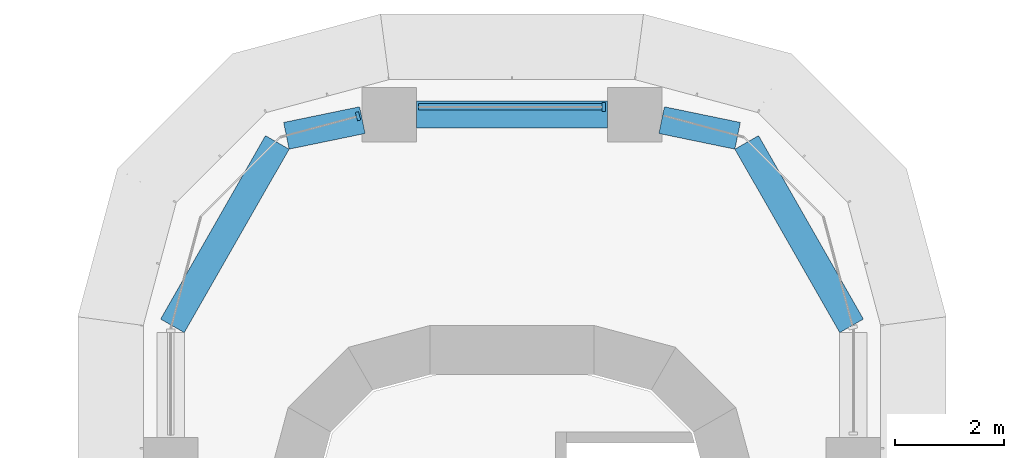
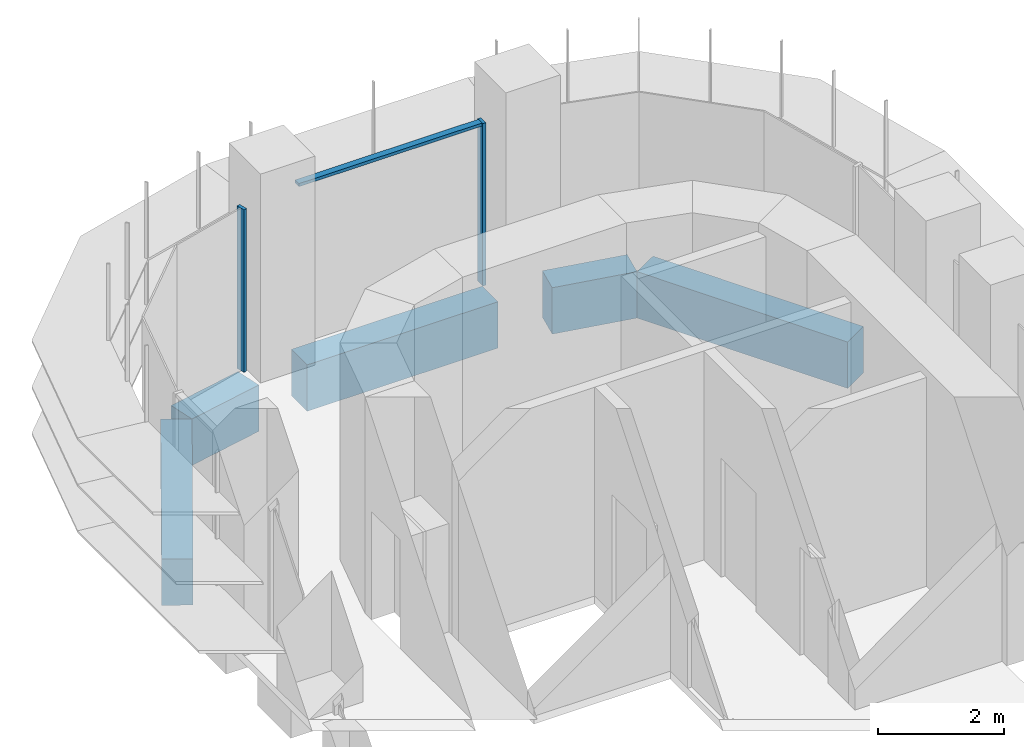
# One storey, part 12 of 23: 5 beams, 3 members, 2 elements without a shape of their own.
"""IFC4 building model written with IfcOpenShell, lengths in metres."""

import ifcopenshell
import ifcopenshell.guid

model = None  # the IFC model being written
_history = None  # IfcOwnerHistory: only IFC2X3 demands one
_inside = {}  # id of a spatial element -> (the spatial element, [elements in it])
_under = {}  # id of a project, library or spatial element -> (it, [spatial elements below it])
_declared = {}  # id of a project -> (the project, [libraries it declares])
_typed = {}  # id of a type object -> (the type object, [elements of that type])
_made_of = {}  # id of a material, layer set ... -> (it, [elements and type objects made of it])


def new_model(schema):
    """Start an empty IFC model of exactly this schema.

    Asked for "IFC4X3", IfcOpenShell would pick the latest addendum, in which some entities
    have other attributes; the version numbers below select the first issue.
    IFC2X3 requires an IfcOwnerHistory on every rooted entity: one is made here for all.
    """
    global model, _history
    if schema == "IFC4X3":
        model = ifcopenshell.file(schema_version=(4, 3, 0, 0))
    else:
        model = ifcopenshell.file(schema=schema)
    _inside.clear()
    _under.clear()
    _declared.clear()
    _typed.clear()
    _made_of.clear()
    _history = None
    if model.schema == "IFC2X3":
        org = make("IfcOrganization", Name="unknown")
        user = make(
            "IfcPersonAndOrganization",
            ThePerson=make("IfcPerson", FamilyName="unknown"),
            TheOrganization=org,
        )
        app = make(
            "IfcApplication",
            ApplicationDeveloper=org,
            Version="unknown",
            ApplicationFullName="unknown",
            ApplicationIdentifier="unknown",
        )
        _history = make(
            "IfcOwnerHistory",
            OwningUser=user,
            OwningApplication=app,
            ChangeAction="ADDED",
            CreationDate=0,
        )
    return model


def make(cls, **values):
    """One entity of the class cls with the attributes given. An attribute that is None is left unset."""
    return model.create_entity(
        cls, **{name: value for name, value in values.items() if value is not None}
    )


def rooted(cls, **values):
    """An entity with a GlobalId (a new one), such as an element, a storey or a relation."""
    return make(cls, GlobalId=ifcopenshell.guid.new(), OwnerHistory=_history, **values)


def si_unit(unit_type, name, prefix=None):
    """IfcSIUnit, for example si_unit("LENGTHUNIT", "METRE", prefix="MILLI")."""
    return make("IfcSIUnit", UnitType=unit_type, Prefix=prefix, Name=name)


def assignment(units):
    """IfcUnitAssignment: the units of a project."""
    return None if units is None else make("IfcUnitAssignment", Units=units)


def point(xyz):
    """IfcCartesianPoint."""
    return None if xyz is None else make("IfcCartesianPoint", Coordinates=xyz)


def direction(xyz):
    """IfcDirection."""
    return None if xyz is None else make("IfcDirection", DirectionRatios=xyz)


def frame(location, z_axis=None, x_axis=None):
    """IfcAxis2Placement3D, a coordinate frame: its origin and axes. An axis left out is left unset."""
    return make(
        "IfcAxis2Placement3D",
        Location=point(location),
        Axis=direction(z_axis),
        RefDirection=direction(x_axis),
    )


def frame_2d(location, x_axis=None):
    """IfcAxis2Placement2D, a coordinate frame in the plane: its origin and x axis."""
    return make(
        "IfcAxis2Placement2D", Location=point(location), RefDirection=direction(x_axis)
    )


def origin():
    """The frame at (0, 0, 0) with its axes left unset."""
    return frame((0.0, 0.0, 0.0))


def origin_2d():
    """The frame at (0, 0) in the plane with its x axis left unset."""
    return frame_2d((0.0, 0.0))


def place(relative_to, where):
    """IfcLocalPlacement: puts the frame where relative to a parent placement (None: the world)."""
    return make(
        "IfcLocalPlacement", PlacementRelTo=relative_to, RelativePlacement=where
    )


def context(
    kind, dimensions, precision=None, world=None, true_north=None, identifier=None
):
    """IfcGeometricRepresentationContext, for example the 3D "Model" context."""
    return make(
        "IfcGeometricRepresentationContext",
        ContextIdentifier=identifier,
        ContextType=kind,
        CoordinateSpaceDimension=dimensions,
        Precision=precision,
        WorldCoordinateSystem=world,
        TrueNorth=true_north,
    )


def subcontext(parent, identifier, kind, view, scale=None):
    """IfcGeometricRepresentationSubContext, for example "Body" below "Model"."""
    return make(
        "IfcGeometricRepresentationSubContext",
        ContextIdentifier=identifier,
        ContextType=kind,
        ParentContext=parent,
        TargetScale=scale,
        TargetView=view,
    )


def project(units=None, contexts=None):
    """IfcProject with its units and contexts."""
    return rooted(
        "IfcProject",
        Name="project",
        RepresentationContexts=contexts,
        UnitsInContext=assignment(units),
    )


def spatial(cls, under=None, at=None, **own):
    """A site, building, storey or space (cls), placed at a placement, below another one or the project."""
    s = rooted(cls, ObjectPlacement=at, **own)
    if under is not None:
        _under.setdefault(under.id(), (under, []))[1].append(s)
    return s


def polyline(points):
    """IfcPolyline through the points."""
    return make("IfcPolyline", Points=[point(p) for p in points])


def profile(cls, at=None, kind="AREA", **sizes):
    """A parametric profile (cls). Its sizes go by their IFC names, for example OverallWidth=200.0."""
    return make(cls, ProfileType=kind, Position=at, **sizes)


def rectangle(**sizes):
    """IfcRectangleProfileDef."""
    return profile("IfcRectangleProfileDef", **sizes)


def outline(outer, holes=None, kind="AREA"):
    """IfcArbitraryClosedProfileDef: a profile drawn as a closed curve; with holes, ...WithVoids."""
    if holes is None:
        return make("IfcArbitraryClosedProfileDef", ProfileType=kind, OuterCurve=outer)
    return make(
        "IfcArbitraryProfileDefWithVoids",
        ProfileType=kind,
        OuterCurve=outer,
        InnerCurves=holes,
    )


def extrude(swept, where, along, depth):
    """IfcExtrudedAreaSolid: the profile swept, set in the frame where, extruded along a direction by depth."""
    return make(
        "IfcExtrudedAreaSolid",
        SweptArea=swept,
        Position=where,
        ExtrudedDirection=direction(along),
        Depth=depth,
    )


def shape(context_of_items, identifier, shape_type, items):
    """IfcShapeRepresentation: the items that make up one representation, for example the "Body"."""
    return make(
        "IfcShapeRepresentation",
        ContextOfItems=context_of_items,
        RepresentationIdentifier=identifier,
        RepresentationType=shape_type,
        Items=items,
    )


def source(mapping_origin, context_of_items, identifier, shape_type, items):
    """IfcRepresentationMap: a shape defined once, which mapped items show again and again."""
    return make(
        "IfcRepresentationMap",
        MappingOrigin=mapping_origin,
        MappedRepresentation=shape(context_of_items, identifier, shape_type, items),
    )


def transform(
    local_origin,
    x_axis=None,
    y_axis=None,
    z_axis=None,
    scale=None,
    scale2=None,
    scale3=None,
    uniform=True,
):
    """IfcCartesianTransformationOperator3D, or its non-uniform kind. x_axis, y_axis, z_axis: its Axis1, 2, 3."""
    if uniform:
        return make(
            "IfcCartesianTransformationOperator3D",
            Axis1=direction(x_axis),
            Axis2=direction(y_axis),
            LocalOrigin=point(local_origin),
            Scale=scale,
            Axis3=direction(z_axis),
        )
    return make(
        "IfcCartesianTransformationOperator3DnonUniform",
        Axis1=direction(x_axis),
        Axis2=direction(y_axis),
        LocalOrigin=point(local_origin),
        Scale=scale,
        Axis3=direction(z_axis),
        Scale2=scale2,
        Scale3=scale3,
    )


def mapped(mapping_source, mapping_target):
    """IfcMappedItem: shows the shape of a source again, moved by a transform."""
    return make(
        "IfcMappedItem", MappingSource=mapping_source, MappingTarget=mapping_target
    )


def material(Name=None, Category=None):
    """IfcMaterial."""
    return make("IfcMaterial", Name=Name, Category=Category)


def material_profile(
    of_material, cross_section, Name=None, Category=None, Priority=None
):
    """IfcMaterialProfile: a cross section and its material."""
    return make(
        "IfcMaterialProfile",
        Name=Name,
        Material=of_material,
        Profile=cross_section,
        Priority=Priority,
        Category=Category,
    )


def profile_set(profiles, Name=None, composite=None):
    """IfcMaterialProfileSet."""
    return make(
        "IfcMaterialProfileSet",
        Name=Name,
        MaterialProfiles=profiles,
        CompositeProfile=composite,
    )


def made_of(thing, what):
    """Note that an element or type object is made of a material, layer set ...; save() writes the relation."""
    if what is not None:
        _made_of.setdefault(what.id(), (what, []))[1].append(thing)
    return thing


def type_object(cls, material=None, **own):
    """A type object (cls), such as IfcWallType, which elements share."""
    return made_of(rooted(cls, **own), material)


def element(
    cls,
    number,
    at=None,
    inside=None,
    cuts=None,
    type_object=None,
    material=None,
    context=None,
    identifier="Body",
    shape_type=None,
    held_by="IfcProductDefinitionShape",
    body=None,
    shapes=None,
    **own,
):
    """One element of the class cls, such as IfcWall. Its Tag is "e" and its number.

    at: its placement. inside: the storey or other place that contains it. cuts: it is an
    opening in that element (IfcRelVoidsElement). A single representation is given by context,
    identifier, shape_type and body (its items); several are given by shapes. held_by: the class
    of the entity that holds the representations. save() writes the other relations.
    """
    e = rooted(cls, Tag="e%d" % number, ObjectPlacement=at, **own)
    if body is not None:
        shapes = [shape(context, identifier, shape_type, body)]
    if shapes is not None:
        e.Representation = make(held_by, Representations=shapes)
    if inside is not None:
        _inside.setdefault(inside.id(), (inside, []))[1].append(e)
    if cuts is not None:
        rooted(
            "IfcRelVoidsElement", RelatingBuildingElement=cuts, RelatedOpeningElement=e
        )
    if type_object is not None:
        _typed.setdefault(type_object.id(), (type_object, []))[1].append(e)
    return made_of(e, material)


def aggregate(whole, parts):
    """IfcRelAggregates: a whole, such as a stair, and the parts it consists of."""
    return rooted("IfcRelAggregates", RelatingObject=whole, RelatedObjects=parts)


def save(model, path):
    """Write the relations noted so far, then the file.

    IfcRelAggregates (storeys below a building ...), IfcRelContainedInSpatialStructure (elements
    in a storey), IfcRelDefinesByType, IfcRelAssociatesMaterial and IfcRelDeclares: one each for
    every whole, place, type object, material and project.
    """
    for whole, parts in _under.values():
        aggregate(whole, parts)
    for where, things in _inside.values():
        rooted(
            "IfcRelContainedInSpatialStructure",
            RelatedElements=things,
            RelatingStructure=where,
        )
    for kind, things in _typed.values():
        rooted("IfcRelDefinesByType", RelatedObjects=things, RelatingType=kind)
    for what, things in _made_of.values():
        rooted("IfcRelAssociatesMaterial", RelatedObjects=things, RelatingMaterial=what)
    for by, libraries in _declared.values():
        rooted("IfcRelDeclares", RelatingContext=by, RelatedDefinitions=libraries)
    model.write(path)


model = new_model("IFC4")

# Units and contexts
model_context = context("Model", 3, precision=1e-05, world=origin(), true_north=direction((0.0, 1.0)))
body_context = subcontext(model_context, "Body", "Model", "MODEL_VIEW")
ifc_project = project(units=[si_unit("LENGTHUNIT", "METRE"), si_unit("AREAUNIT", "SQUARE_METRE"), si_unit("VOLUMEUNIT", "CUBIC_METRE"), si_unit("PLANEANGLEUNIT", "RADIAN"), si_unit("MASSUNIT", "GRAM", prefix="KILO")], contexts=[model_context])

# Site, building, storey
site_placement = place(None, origin())
site = spatial("IfcSite", under=ifc_project, at=site_placement, CompositionType="ELEMENT")
building_placement = place(site_placement, origin())
building = spatial("IfcBuilding", under=site, at=building_placement, Name="Zarbagh Exchange Tower", CompositionType="ELEMENT")
storey_placement = place(building_placement, frame((0.0, 0.0, 60.60009765625)))
storey = spatial("IfcBuildingStorey", under=building, at=storey_placement, Name="L13", CompositionType="ELEMENT", Elevation=60.60009765625)

# Beams
ifc_material_1 = material(Name="Concrete C60/75", Category="concrete")
ifc_material_profile = material_profile(ifc_material_1, rectangle(XDim=0.5, YDim=0.89990234375, at=origin_2d()), Name="RC spandrel beam 500 x 900 C60/75")
ifc_profile_set = profile_set([ifc_material_profile], Name="Concrete C60/75")
beam_type = type_object("IfcBeamType", Name="RC spandrel beam 500 x 900 C60/75", PredefinedType="SPANDREL", material=ifc_profile_set)
beam_1_placement = place(storey_placement, frame((-6.217041015625, 29.24169921875, -0.60009765625), z_axis=(0.496220481126, 0.868196541177, 0.0), x_axis=(-0.868196541177, 0.496220481126, 0.0)))
element("IfcBeam", 1, at=beam_1_placement, inside=storey, type_object=beam_type, Name="RC spandrel beam", PredefinedType="SPANDREL", context=body_context, shape_type="SweptSolid", body=[
    extrude(rectangle(XDim=0.5, YDim=0.89990234375, at=origin_2d()), origin(), (0.0, 0.0, 1.0), 3.869140625),
])
beam_2_placement = place(storey_placement, frame((-4.130615234375, 32.7216796875, -0.60009765625), z_axis=(0.979352054934, 0.202162193541, 0.0), x_axis=(-0.202162193541, 0.979352054934, 0.0)))
element("IfcBeam", 2, at=beam_2_placement, inside=storey, type_object=beam_type, Name="RC spandrel beam", PredefinedType="SPANDREL", context=body_context, shape_type="SweptSolid", body=[
    extrude(rectangle(XDim=0.5, YDim=0.89990234375, at=origin_2d()), origin(), (0.0, 0.0, 1.0), 1.420166015625),
])
beam_3_placement = place(storey_placement, frame((-1.75, 33.110107421875, -0.60009765625), z_axis=(1.0, 0.0, 0.0), x_axis=(0.0, 1.0, 0.0)))
element("IfcBeam", 3, at=beam_3_placement, inside=storey, type_object=beam_type, Name="RC spandrel beam", PredefinedType="SPANDREL", context=body_context, shape_type="SweptSolid", body=[
    extrude(rectangle(XDim=0.5, YDim=0.89990234375, at=origin_2d()), origin(), (0.0, 0.0, 1.0), 3.5),
])
beam_4_placement = place(storey_placement, frame((2.73974609375, 33.0087890625, -0.60009765625), z_axis=(0.979352054934, -0.202162193541, 0.0), x_axis=(0.202162193541, 0.979352054934, 0.0)))
element("IfcBeam", 4, at=beam_4_placement, inside=storey, type_object=beam_type, Name="RC spandrel beam", PredefinedType="SPANDREL", context=body_context, shape_type="SweptSolid", body=[
    extrude(rectangle(XDim=0.5, YDim=0.89990234375, at=origin_2d()), origin(), (0.0, 0.0, 1.0), 1.420166015625),
])
beam_5_placement = place(storey_placement, frame((4.297119140625, 32.600830078125, -0.60009765625), z_axis=(0.496220481126, -0.868196541177, 0.0), x_axis=(0.868196541177, 0.496220481126, 0.0)))
element("IfcBeam", 5, at=beam_5_placement, inside=storey, type_object=beam_type, Name="RC spandrel beam", PredefinedType="SPANDREL", context=body_context, shape_type="SweptSolid", body=[
    extrude(rectangle(XDim=0.5, YDim=0.89990234375, at=origin_2d()), origin(), (0.0, 0.0, 1.0), 3.869140625),
])

# Curtain wall, member
ifc_material_2 = material(Name="Anodised aluminium frame and glazing", Category="aluminium")
curtain_wall_type = type_object("IfcCurtainWallType", Name="CWA Ribbon glazing, lower zones", PredefinedType="NOTDEFINED", material=ifc_material_2)
curtain_wall_1_placement = place(storey_placement, origin())
curtain_wall_1 = element("IfcCurtainWall", 6, at=curtain_wall_1_placement, inside=storey, type_object=curtain_wall_type, Name="CWA24 curtain wall", PredefinedType="NOTDEFINED")
ifc_material_3 = material(Name="Anodised aluminium frame", Category="aluminium")
member_type_1 = type_object("IfcMemberType", Name="MUA Mullion, anodised aluminium frame", PredefinedType="MULLION", material=ifc_material_3)
shared_shape_1 = source(origin(), body_context, "Body", "SweptSolid", [
    extrude(outline(polyline([(0.0, -0.080078125), (0.06005859375, -0.080078125), (0.06005859375, 0.080078125), (0.0, 0.080078125), (0.0, -0.080078125)])), origin(), (0.0, 0.0, 1.0), 3.14990234375),
])
placement = place(storey_placement, origin())
member_1 = element("IfcMember", 7, at=placement, type_object=member_type_1, Name="CWA24 mullion 1.1", PredefinedType="MULLION", context=body_context, shape_type="MappedRepresentation", body=[
    mapped(shared_shape_1, transform((1.7099609375, 33.25, 0.0), x_axis=(-1.0, 0.0, 0.0), y_axis=(0.0, -1.0, 0.0), z_axis=(0.0, 0.0, 1.0))),
])

curtain_wall_2_placement = place(storey_placement, origin())
curtain_wall_2 = element("IfcCurtainWall", 8, at=curtain_wall_2_placement, inside=storey, type_object=curtain_wall_type, Name="CWA25 curtain wall", PredefinedType="NOTDEFINED")
member_2 = element("IfcMember", 9, at=placement, type_object=member_type_1, Name="CWA25 mullion 1.1", PredefinedType="MULLION", context=body_context, shape_type="MappedRepresentation", body=[
    mapped(shared_shape_1, transform((-2.7900390625, 33.087646484375, 0.0), x_axis=(-0.965924289636, -0.258824779902, 0.0), y_axis=(0.258824779902, -0.965924289636, 0.0), z_axis=(0.0, 0.0, 1.0))),
])
aggregate(curtain_wall_2, [member_2])

# Member
member_type_2 = type_object("IfcMemberType", Name="TRA Transom, anodised aluminium frame", PredefinedType="USERDEFINED", material=ifc_material_3)
shared_shape_2 = source(origin(), body_context, "Body", "SweptSolid", [
    extrude(outline(polyline([(-0.06005859375, -0.06005859375), (0.0, -0.06005859375), (0.0, 0.06005859375), (-0.06005859375, 0.06005859375), (-0.06005859375, -0.06005859375)])), origin(), (0.0, 0.0, 1.0), 3.360107421875),
])
member_3 = element("IfcMember", 10, at=placement, type_object=member_type_2, Name="CWA24 transom 1.1", ObjectType="TRANSOM", PredefinedType="USERDEFINED", context=body_context, shape_type="MappedRepresentation", body=[
    mapped(shared_shape_2, transform((1.64990234375, 33.25, 3.14990234375), x_axis=(0.0, 0.0, 1.0), y_axis=(0.0, 1.0, 0.0), z_axis=(-1.0, 0.0, 0.0))),
])

aggregate(curtain_wall_1, [member_1, member_3])

save(model, "model.ifc")
